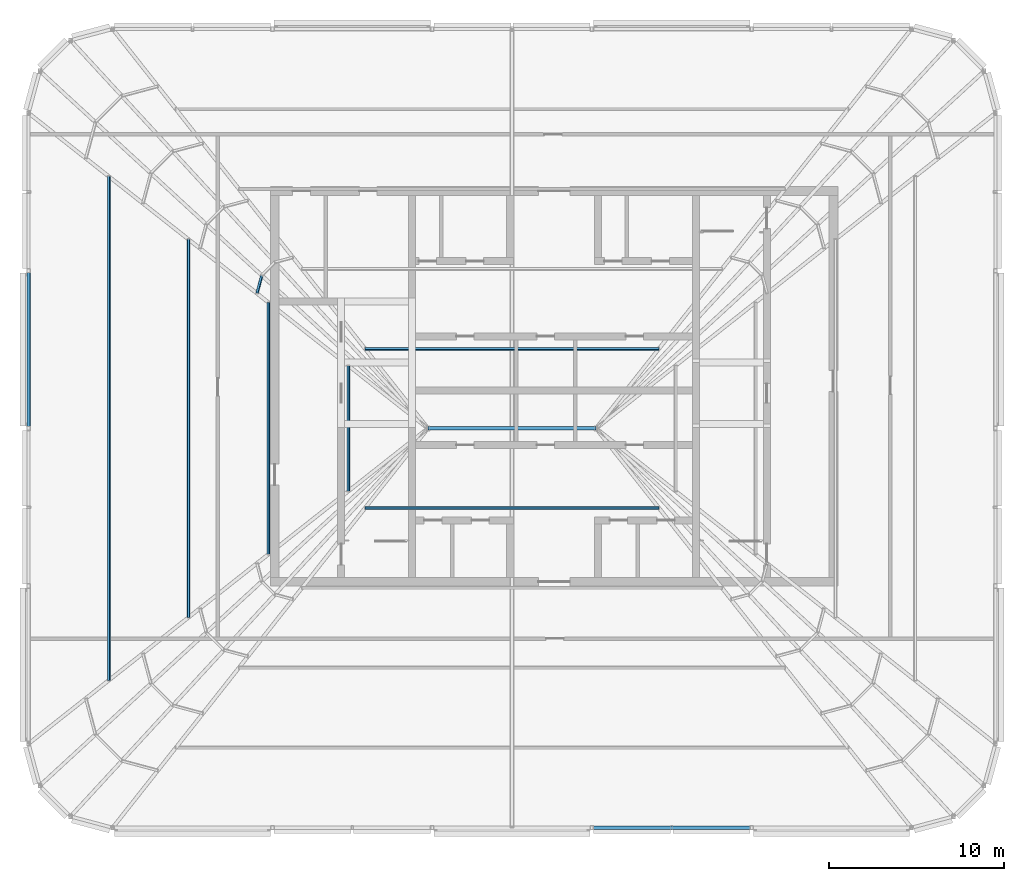
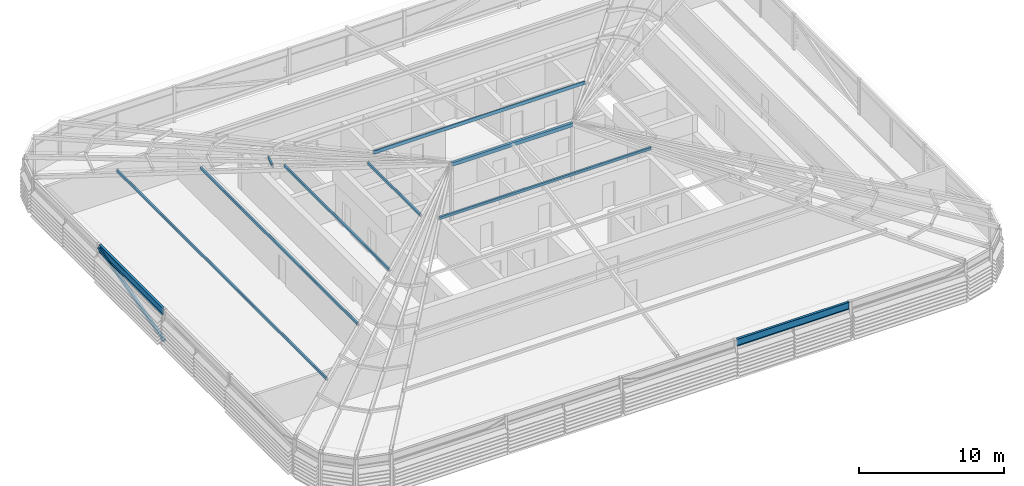
# One storey, part 9 of 46: 9 members, 2 beams.
"""IFC4 building model written with IfcOpenShell, lengths in metres."""

from ifc_helpers import new_model, si_unit, direction, frame, origin, origin_2d, place, context, subcontext, project, spatial, hollow_rectangle, i_section, extrude, material, material_profile, profile_set, type_object, element, save


model = new_model("IFC4")

# Units and contexts
model_context = context("Model", 3, precision=1e-05, world=origin(), true_north=direction((0.0, 1.0)))
body_context = subcontext(model_context, "Body", "Model", "MODEL_VIEW")
ifc_project = project(units=[si_unit("LENGTHUNIT", "METRE"), si_unit("AREAUNIT", "SQUARE_METRE"), si_unit("VOLUMEUNIT", "CUBIC_METRE"), si_unit("PLANEANGLEUNIT", "RADIAN"), si_unit("MASSUNIT", "GRAM", prefix="KILO")], contexts=[model_context])

# Site, building, storey
site_placement = place(None, origin())
site = spatial("IfcSite", under=ifc_project, at=site_placement, CompositionType="ELEMENT")
building_placement = place(site_placement, origin())
building = spatial("IfcBuilding", under=site, at=building_placement, Name="Madar Terraces", CompositionType="ELEMENT")
storey_placement = place(building_placement, frame((0.0, 0.0, 317.300048828125)))
storey = spatial("IfcBuildingStorey", under=building, at=storey_placement, Name="L82", CompositionType="ELEMENT", Elevation=317.300048828125)

# Beams
ifc_material_1 = material(Name="Steel ASTM A992 Grade 50", Category="steel")
ifc_material_profile_1 = material_profile(ifc_material_1, i_section(OverallWidth=0.1787109375, OverallDepth=0.60205078125, WebThickness=0.010986328125, FlangeThickness=0.014892578125, at=origin_2d()), Name="W24x62")
ifc_profile_set_1 = profile_set([ifc_material_profile_1], Name="Steel ASTM A992 Grade 50")
beam_type = type_object("IfcBeamType", Name="CF2 W24x62", PredefinedType="BEAM", material=ifc_profile_set_1)
beam_1_placement = place(storey_placement, frame((33.461669921875, 1.199951171875, 2.698974609375), z_axis=(1.0, 0.0, 0.0), x_axis=(0.0, 1.0, 0.0)))
element("IfcBeam", 1, at=beam_1_placement, inside=storey, type_object=beam_type, Name="Crown frame ring beam CF2", PredefinedType="BEAM", context=body_context, shape_type="SweptSolid", body=[
    extrude(i_section(OverallWidth=0.1787109375, OverallDepth=0.60205078125, WebThickness=0.010986328125, FlangeThickness=0.014892578125, at=origin_2d()), origin(), (0.0, 0.0, 1.0), 8.916748046875),
])
beam_2_placement = place(storey_placement, frame((1.199951171875, 32.8984375, 2.698974609375), z_axis=(0.0, -1.0, 0.0), x_axis=(1.0, 0.0, 0.0)))
element("IfcBeam", 2, at=beam_2_placement, inside=storey, type_object=beam_type, Name="Crown frame ring beam CF2", PredefinedType="BEAM", context=body_context, shape_type="SweptSolid", body=[
    extrude(i_section(OverallWidth=0.1787109375, OverallDepth=0.60205078125, WebThickness=0.010986328125, FlangeThickness=0.014892578125, at=origin_2d()), origin(), (0.0, 0.0, 1.0), 8.796875),
])

# Members
ifc_material_2 = material(Name="Steel ASTM A500 Grade C", Category="steel")
ifc_material_profile_2 = material_profile(ifc_material_2, hollow_rectangle(XDim=0.203125, YDim=0.3046875, WallThickness=0.00634765625, InnerFilletRadius=0.0029296875, OuterFilletRadius=0.0087890625, at=origin_2d()), Name="HSS12x8x.25")
ifc_profile_set_2 = profile_set([ifc_material_profile_2], Name="Steel ASTM A500 Grade C")
member_type_1 = type_object("IfcMemberType", Name="CF3 HSS12x8x.25", PredefinedType="RAFTER", material=ifc_profile_set_2)
member_1_placement = place(storey_placement, frame((24.0, 24.0, 7.147705078125), z_axis=(1.0, 0.0, 0.0), x_axis=(0.0, 1.0, 0.0)))
element("IfcMember", 3, at=member_1_placement, inside=storey, type_object=member_type_1, Name="Crown frame ridge rafter", PredefinedType="RAFTER", context=body_context, shape_type="SweptSolid", body=[
    extrude(hollow_rectangle(XDim=0.203125, YDim=0.3046875, WallThickness=0.00634765625, InnerFilletRadius=0.0029296875, OuterFilletRadius=0.0087890625, at=origin_2d()), origin(), (0.0, 0.0, 1.0), 9.60009765625),
])
ifc_material_3 = material(Name="Steel ASTM A500 Grade C", Category="steel")
ifc_material_profile_3 = material_profile(ifc_material_3, hollow_rectangle(XDim=0.126953125, YDim=0.25390625, WallThickness=0.00634765625, InnerFilletRadius=0.0029296875, OuterFilletRadius=0.0087890625, at=origin_2d()), Name="HSS10x5x.25")
ifc_profile_set_3 = profile_set([ifc_material_profile_3], Name="Steel ASTM A500 Grade C")
member_type_2 = type_object("IfcMemberType", Name="CF4 HSS10x5x.25", PredefinedType="PURLIN", material=ifc_profile_set_3)
for number, where, z_axis, x_axis, name in (
    (4, (20.39990234375, 19.4619140625, 6.629150390625), (1.0, 0.0, 0.0), (0.0, 0.984957023705, 0.172799483372), "Crown frame purlin 4"),
    (5, (37.199951171875, 28.5380859375, 6.629150390625), (-1.0, 0.0, 0.0), (0.0, -0.984957023705, 0.172799483372), "Crown frame purlin 8"),
):
    element("IfcMember", number, at=place(storey_placement, frame(where, z_axis=z_axis, x_axis=x_axis)), inside=storey, type_object=member_type_2, Name=name, PredefinedType="PURLIN", context=body_context, shape_type="SweptSolid", body=[
        extrude(hollow_rectangle(XDim=0.126953125, YDim=0.25390625, WallThickness=0.00634765625, InnerFilletRadius=0.0029296875, OuterFilletRadius=0.0087890625, at=origin_2d()), origin(), (0.0, 0.0, 1.0), 16.800048828125),
    ])
member_2_placement = place(storey_placement, frame((14.5205078125, 32.738525390625, 5.714111328125), z_axis=(-0.258632936414, -0.965975674746, 0.0), x_axis=(0.957252592193, -0.256297394729, 0.13408624163)))
element("IfcMember", 6, at=member_2_placement, inside=storey, type_object=member_type_2, Name="Crown frame purlin 48", PredefinedType="PURLIN", context=body_context, shape_type="SweptSolid", body=[
    extrude(hollow_rectangle(XDim=0.126953125, YDim=0.25390625, WallThickness=0.00634765625, InnerFilletRadius=0.0029296875, OuterFilletRadius=0.0087890625, at=origin_2d()), origin(), (0.0, 0.0, 1.0), 1.064697265625),
])
member_3_placement = place(storey_placement, frame((5.781982421875, 38.39990234375, 4.22900390625), z_axis=(0.0, -1.0, 0.0), x_axis=(0.984957023705, 0.0, 0.172799483372)))
element("IfcMember", 7, at=member_3_placement, inside=storey, type_object=member_type_2, Name="Crown frame purlin 49", PredefinedType="PURLIN", context=body_context, shape_type="SweptSolid", body=[
    extrude(hollow_rectangle(XDim=0.126953125, YDim=0.25390625, WallThickness=0.00634765625, InnerFilletRadius=0.0029296875, OuterFilletRadius=0.0087890625, at=origin_2d()), origin(), (0.0, 0.0, 1.0), 28.7998046875),
])
member_4_placement = place(storey_placement, frame((10.342041015625, 34.800048828125, 5.029052734375), z_axis=(0.0, -1.0, 0.0), x_axis=(0.984957023705, 0.0, 0.172799483372)))
element("IfcMember", 8, at=member_4_placement, inside=storey, type_object=member_type_2, Name="Crown frame purlin 50", PredefinedType="PURLIN", context=body_context, shape_type="SweptSolid", body=[
    extrude(hollow_rectangle(XDim=0.126953125, YDim=0.25390625, WallThickness=0.00634765625, InnerFilletRadius=0.0029296875, OuterFilletRadius=0.0087890625, at=origin_2d()), origin(), (0.0, 0.0, 1.0), 21.60009765625),
])
member_5_placement = place(storey_placement, frame((14.90185546875, 31.199951171875, 5.8291015625), z_axis=(0.0, -1.0, 0.0), x_axis=(0.984957023705, 0.0, 0.172799483372)))
element("IfcMember", 9, at=member_5_placement, inside=storey, type_object=member_type_2, Name="Crown frame purlin 51", PredefinedType="PURLIN", context=body_context, shape_type="SweptSolid", body=[
    extrude(hollow_rectangle(XDim=0.126953125, YDim=0.25390625, WallThickness=0.00634765625, InnerFilletRadius=0.0029296875, OuterFilletRadius=0.0087890625, at=origin_2d()), origin(), (0.0, 0.0, 1.0), 14.39990234375),
])
member_6_placement = place(storey_placement, frame((19.4619140625, 27.60009765625, 6.629150390625), z_axis=(0.0, -1.0, 0.0), x_axis=(0.984957023705, 0.0, 0.172799483372)))
element("IfcMember", 10, at=member_6_placement, inside=storey, type_object=member_type_2, Name="Crown frame purlin 52", PredefinedType="PURLIN", context=body_context, shape_type="SweptSolid", body=[
    extrude(hollow_rectangle(XDim=0.126953125, YDim=0.25390625, WallThickness=0.00634765625, InnerFilletRadius=0.0029296875, OuterFilletRadius=0.0087890625, at=origin_2d()), origin(), (0.0, 0.0, 1.0), 7.2001953125),
])
ifc_material_4 = material(Name="Steel ASTM A500 Grade C", Category="steel")
ifc_material_profile_4 = material_profile(ifc_material_4, hollow_rectangle(XDim=0.203125, YDim=0.25390625, WallThickness=0.009521484375, InnerFilletRadius=0.00439453125, OuterFilletRadius=0.01318359375, at=origin_2d()), Name="HSS10x8x.375")
ifc_profile_set_4 = profile_set([ifc_material_profile_4], Name="Steel ASTM A500 Grade C")
member_type_3 = type_object("IfcMemberType", Name="CF5 crown frame brace HSS10x8x.375", PredefinedType="BRACE", material=ifc_profile_set_4)
member_7_placement = place(storey_placement, frame((1.199951171875, 33.0, 2.698974609375), z_axis=(0.0, -0.966263646701, -0.257554974839), x_axis=(1.0, 0.0, 0.0)))
element("IfcMember", 11, at=member_7_placement, inside=storey, type_object=member_type_3, Name="Crown frame brace CF5", PredefinedType="BRACE", context=body_context, shape_type="SweptSolid", body=[
    extrude(hollow_rectangle(XDim=0.203125, YDim=0.25390625, WallThickness=0.009521484375, InnerFilletRadius=0.00439453125, OuterFilletRadius=0.01318359375, at=origin_2d()), origin(), (0.0, 0.0, 1.0), 9.314208984375),
])

save(model, "model.ifc")
